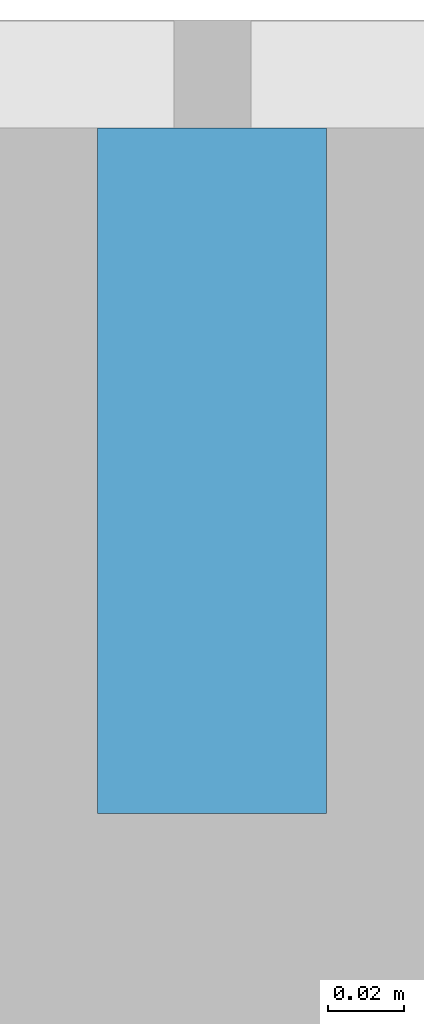
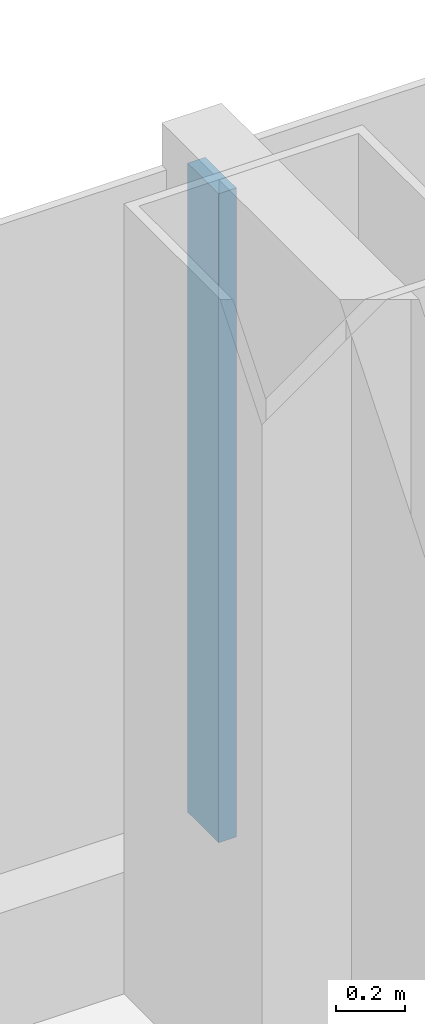
# One storey, part 10 of 29: 1 member, 1 element without a shape of its own.
"""IFC4 building model written with IfcOpenShell, lengths in metres."""

from ifc_helpers import new_model, si_unit, direction, frame, origin, origin_2d, place, context, subcontext, project, spatial, rectangle, extrude, material, layer, layer_set, material_profile, profile_set, type_object, element, aggregate, save


model = new_model("IFC4")

# Units and contexts
model_context = context("Model", 3, precision=1e-05, world=origin(), true_north=direction((0.0, 1.0)))
body_context = subcontext(model_context, "Body", "Model", "MODEL_VIEW")
ifc_project = project(units=[si_unit("LENGTHUNIT", "METRE"), si_unit("AREAUNIT", "SQUARE_METRE"), si_unit("VOLUMEUNIT", "CUBIC_METRE"), si_unit("PLANEANGLEUNIT", "RADIAN"), si_unit("MASSUNIT", "GRAM", prefix="KILO")], contexts=[model_context])

# Site, building, storey
site_placement = place(None, origin())
site = spatial("IfcSite", under=ifc_project, at=site_placement, CompositionType="ELEMENT")
building_placement = place(site_placement, origin())
building = spatial("IfcBuilding", under=site, at=building_placement, Name="Hakoniwa Tower and Hamabe Station Hall", CompositionType="ELEMENT")
storey_placement = place(building_placement, frame((0.0, 0.0, 110.60009765625)))
storey = spatial("IfcBuildingStorey", under=building, at=storey_placement, Name="L31", CompositionType="ELEMENT", Elevation=110.60009765625)

# Curtain wall, member
ifc_material_1 = material(Name="Dark low-e laminated glass", Category="glass")
ifc_layer = layer(ifc_material_1, 0.199951171875)
ifc_layer_set = layer_set([ifc_layer], Name="CW-1 UNITISED GUEST")
curtain_wall_type = type_object("IfcCurtainWallType", Name="CW-1 UNITISED GUEST", PredefinedType="NOTDEFINED", material=ifc_layer_set)
curtain_wall_placement = place(storey_placement, origin())
curtain_wall = element("IfcCurtainWall", 1, at=curtain_wall_placement, inside=storey, type_object=curtain_wall_type, Name="CW-1 curtain wall", PredefinedType="NOTDEFINED")
ifc_material_2 = material(Name="Aluminium 6063-T5 black anodised", Category="aluminium")
ifc_material_profile = material_profile(ifc_material_2, rectangle(XDim=0.06005859375, YDim=0.179931640625, at=origin_2d()), Name="CW-1 MULLION 60X180")
ifc_profile_set = profile_set([ifc_material_profile], Name="Aluminium 6063-T5 black anodised")
member_type = type_object("IfcMemberType", Name="CW-1 MULLION 60X180", PredefinedType="MULLION", material=ifc_profile_set)
member_placement = place(storey_placement, frame((8.39990234375, 23.431884765625, 0.349853515625), z_axis=(0.0, 0.0, 1.0), x_axis=(-1.0, 0.0, 0.0)))
member = element("IfcMember", 2, at=member_placement, type_object=member_type, Name="CW-1 mullion", PredefinedType="MULLION", context=body_context, shape_type="SweptSolid", body=[
    extrude(rectangle(XDim=0.06005859375, YDim=0.179931640625, at=origin_2d()), origin(), (0.0, 0.0, 1.0), 2.300048828125),
])
aggregate(curtain_wall, [member])

save(model, "model.ifc")
